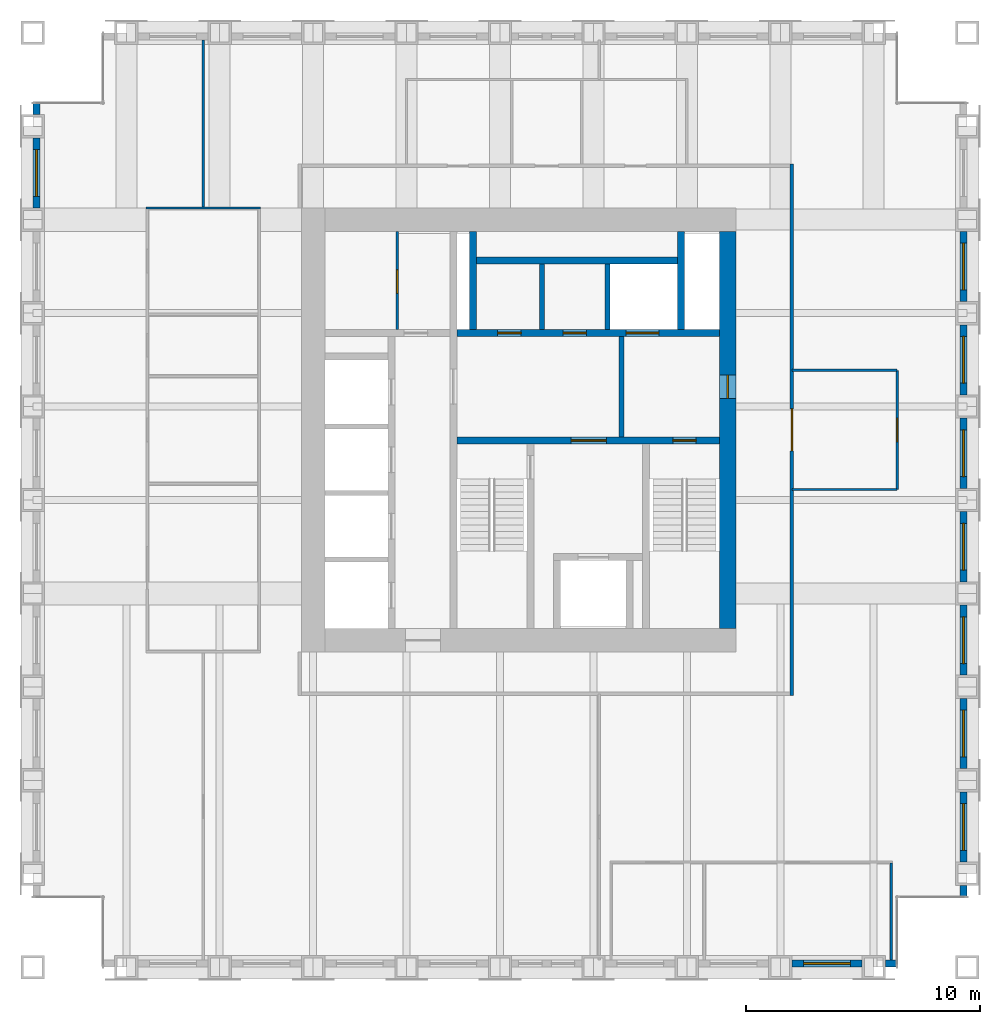
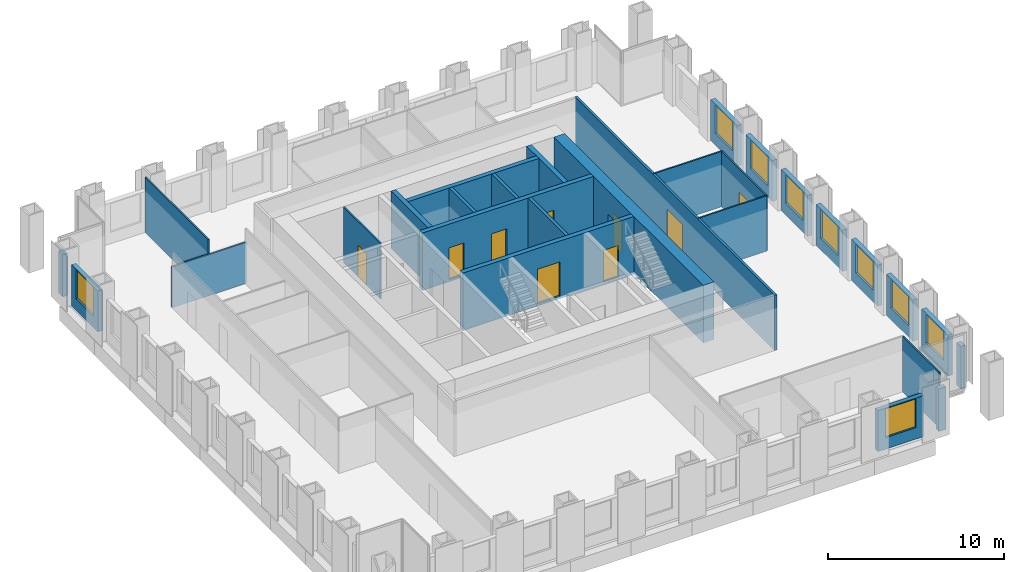
# One storey, part 9 of 11: 29 walls, 9 doors, 9 windows, 18 openings.
"""IFC4 building model written with IfcOpenShell, lengths in metres."""

from ifc_helpers import new_model, si_unit, direction, frame, frame_2d, origin, place, context, subcontext, project, spatial, rectangle, extrude, material, layer, layer_set, type_object, element, fill, save


model = new_model("IFC4")

# Units and contexts
model_context = context("Model", 3, precision=1e-05, world=origin(), true_north=direction((0.0, 1.0)))
body_context = subcontext(model_context, "Body", "Model", "MODEL_VIEW")
ifc_project = project(units=[si_unit("LENGTHUNIT", "METRE"), si_unit("AREAUNIT", "SQUARE_METRE"), si_unit("VOLUMEUNIT", "CUBIC_METRE"), si_unit("PLANEANGLEUNIT", "RADIAN"), si_unit("MASSUNIT", "GRAM", prefix="KILO")], contexts=[model_context])

# Site, building, storey
site_placement = place(None, origin())
site = spatial("IfcSite", under=ifc_project, at=site_placement, CompositionType="ELEMENT")
building_placement = place(site_placement, origin())
building = spatial("IfcBuilding", under=site, at=building_placement, Name="Rimbunsela Tower", CompositionType="ELEMENT")
storey_placement = place(building_placement, frame((0.0, 0.0, 282.199951171875)))
storey = spatial("IfcBuildingStorey", under=building, at=storey_placement, Name="L68", CompositionType="ELEMENT", Elevation=282.199951171875)

# Wall, openings, doors
ifc_material_1 = material(Name="Concrete fc' 80 MPa", Category="concrete")
ifc_layer_1 = layer(ifc_material_1, 0.300048828125)
ifc_layer_set_1 = layer_set([ifc_layer_1], Name="Core internal wall 300")
wall_type_1 = type_object("IfcWallType", Name="Core internal wall 300", PredefinedType="SHEAR", material=ifc_layer_set_1)
wall_1_placement = place(storey_placement, frame((24.14990234375, 26.550048828125, -0.14990234375), z_axis=(0.0, 0.0, 1.0), x_axis=(1.0, 0.0, 0.0)))
wall_1 = element("IfcWall", 1, at=wall_1_placement, inside=storey, type_object=wall_type_1, Name="Core wall lobby south", PredefinedType="SHEAR", context=body_context, shape_type="SweptSolid", body=[
    extrude(rectangle(XDim=11.25, YDim=0.300048828125, at=frame_2d((5.625, 0.0))), origin(), (0.0, 0.0, 1.0), 4.0),
])
opening_1_placement = place(wall_1_placement, frame((9.25, 0.0, 0.14990234375)))
opening_1 = element("IfcOpeningElement", 2, at=opening_1_placement, cuts=wall_1, Name="Opening D01", PredefinedType="OPENING", context=body_context, shape_type="SweptSolid", body=[
    extrude(rectangle(XDim=1.0, YDim=2.199951171875, at=frame_2d((0.5, 1.10009765625))), frame((0.0, 0.159912109375, 0.0), z_axis=(0.0, -1.0, 0.0), x_axis=(1.0, 0.0, 0.0)), (0.0, 0.0, 1.0), 0.320068359375),
])
opening_2_placement = place(wall_1_placement, frame((4.89990234375, 0.0, 0.14990234375)))
opening_2 = element("IfcOpeningElement", 3, at=opening_2_placement, cuts=wall_1, Name="Opening D03", PredefinedType="OPENING", context=body_context, shape_type="SweptSolid", body=[
    extrude(rectangle(XDim=1.5, YDim=2.39990234375, at=frame_2d((0.75, 1.199951171875))), frame((0.0, 0.159912109375, 0.0), z_axis=(0.0, -1.0, 0.0), x_axis=(1.0, 0.0, 0.0)), (0.0, 0.0, 1.0), 0.320068359375),
])
ifc_material_2 = material(Name="Steel door, fire rated", Category="steel")
door_type_1 = type_object("IfcDoorType", Name="Core lobby door 1500", OperationType="DOUBLE_DOOR_DOUBLE_SWING", PredefinedType="DOOR", material=ifc_material_2)
door_1_placement = place(opening_2_placement, origin())
door_1 = element("IfcDoor", 4, at=door_1_placement, inside=storey, type_object=door_type_1, Name="Firefighting lobby door", OperationType="DOUBLE_DOOR_DOUBLE_SWING", OverallHeight=2.39990234375, OverallWidth=1.5, PredefinedType="DOOR", context=body_context, shape_type="SweptSolid", body=[
    extrude(rectangle(XDim=1.5, YDim=2.39990234375, at=frame_2d((0.75, 1.199951171875))), frame((0.0, 0.02490234375, 0.0), z_axis=(0.0, -1.0, 0.0), x_axis=(1.0, 0.0, 0.0)), (0.0, 0.0, 1.0), 0.050048828125),
])
fill(opening_2, door_1)
ifc_material_3 = material(Name="Steel door, fire rated", Category="steel")
door_type_2 = type_object("IfcDoorType", Name="Stair door 1000", OperationType="SINGLE_SWING_RIGHT", PredefinedType="DOOR", material=ifc_material_3)
door_2_placement = place(opening_1_placement, frame((1.0, 0.0, 0.0), z_axis=(0.0, 0.0, 1.0), x_axis=(-1.0, 0.0, 0.0)))
door_2 = element("IfcDoor", 5, at=door_2_placement, inside=storey, type_object=door_type_2, Name="Stair B door", OperationType="SINGLE_SWING_RIGHT", OverallHeight=2.199951171875, OverallWidth=1.0, PredefinedType="DOOR", context=body_context, shape_type="SweptSolid", body=[
    extrude(rectangle(XDim=1.0, YDim=2.199951171875, at=frame_2d((0.5, 1.10009765625))), frame((0.0, 0.02490234375, 0.0), z_axis=(0.0, -1.0, 0.0), x_axis=(1.0, 0.0, 0.0)), (0.0, 0.0, 1.0), 0.050048828125),
])
fill(opening_1, door_2)

wall_2_placement = place(storey_placement, frame((24.14990234375, 31.14990234375, -0.14990234375), z_axis=(0.0, 0.0, 1.0), x_axis=(1.0, 0.0, 0.0)))
wall_2 = element("IfcWall", 6, at=wall_2_placement, inside=storey, type_object=wall_type_1, Name="Lift shaft front north", PredefinedType="SHEAR", context=body_context, shape_type="SweptSolid", body=[
    extrude(rectangle(XDim=11.25, YDim=0.300048828125, at=frame_2d((5.625, 0.0))), origin(), (0.0, 0.0, 1.0), 4.0),
])
opening_3_placement = place(wall_2_placement, frame((1.75, 0.0, 0.14990234375)))
opening_3 = element("IfcOpeningElement", 7, at=opening_3_placement, cuts=wall_2, Name="Opening D19", PredefinedType="OPENING", context=body_context, shape_type="SweptSolid", body=[
    extrude(rectangle(XDim=1.0, YDim=2.199951171875, at=frame_2d((0.5, 1.10009765625))), frame((0.0, 0.159912109375, 0.0), z_axis=(0.0, -1.0, 0.0), x_axis=(1.0, 0.0, 0.0)), (0.0, 0.0, 1.0), 0.320068359375),
])
opening_4_placement = place(wall_2_placement, frame((4.550048828125, 0.0, 0.14990234375)))
opening_4 = element("IfcOpeningElement", 8, at=opening_4_placement, cuts=wall_2, Name="Opening D19", PredefinedType="OPENING", context=body_context, shape_type="SweptSolid", body=[
    extrude(rectangle(XDim=1.0, YDim=2.199951171875, at=frame_2d((0.5, 1.10009765625))), frame((0.0, 0.159912109375, 0.0), z_axis=(0.0, -1.0, 0.0), x_axis=(1.0, 0.0, 0.0)), (0.0, 0.0, 1.0), 0.320068359375),
])
opening_5_placement = place(wall_2_placement, frame((7.25, 0.0, 0.14990234375)))
opening_5 = element("IfcOpeningElement", 9, at=opening_5_placement, cuts=wall_2, Name="Opening LD3", PredefinedType="OPENING", context=body_context, shape_type="SweptSolid", body=[
    extrude(rectangle(XDim=1.39990234375, YDim=2.39990234375, at=frame_2d((0.699951171875, 1.199951171875))), frame((0.0, 0.159912109375, 0.0), z_axis=(0.0, -1.0, 0.0), x_axis=(1.0, 0.0, 0.0)), (0.0, 0.0, 1.0), 0.320068359375),
])
ifc_material_4 = material(Name="Steel door, fire rated", Category="steel")
door_type_3 = type_object("IfcDoorType", Name="Lift landing door 1400", OperationType="DOUBLE_DOOR_SLIDING", PredefinedType="DOOR", material=ifc_material_4)
door_3_placement = place(opening_5_placement, origin())
door_3 = element("IfcDoor", 10, at=door_3_placement, inside=storey, type_object=door_type_3, Name="Lift landing door FL2", OperationType="DOUBLE_DOOR_SLIDING", OverallHeight=2.39990234375, OverallWidth=1.39990234375, PredefinedType="DOOR", context=body_context, shape_type="SweptSolid", body=[
    extrude(rectangle(XDim=1.39990234375, YDim=2.39990234375, at=frame_2d((0.699951171875, 1.199951171875))), frame((0.0, 0.02490234375, 0.0), z_axis=(0.0, -1.0, 0.0), x_axis=(1.0, 0.0, 0.0)), (0.0, 0.0, 1.0), 0.050048828125),
])
fill(opening_5, door_3)
ifc_material_5 = material(Name="Steel door, fire rated", Category="steel")
door_type_4 = type_object("IfcDoorType", Name="Service door 1000 fire rated", OperationType="SINGLE_SWING_LEFT", PredefinedType="DOOR", material=ifc_material_5)
door_4_placement = place(opening_3_placement, origin())
door_4 = element("IfcDoor", 11, at=door_4_placement, inside=storey, type_object=door_type_4, Name="Staff WC door", OperationType="SINGLE_SWING_LEFT", OverallHeight=2.199951171875, OverallWidth=1.0, PredefinedType="DOOR", context=body_context, shape_type="SweptSolid", body=[
    extrude(rectangle(XDim=1.0, YDim=2.199951171875, at=frame_2d((0.5, 1.10009765625))), frame((0.0, 0.02490234375, 0.0), z_axis=(0.0, -1.0, 0.0), x_axis=(1.0, 0.0, 0.0)), (0.0, 0.0, 1.0), 0.050048828125),
])
fill(opening_3, door_4)
door_5_placement = place(opening_4_placement, origin())
door_5 = element("IfcDoor", 12, at=door_5_placement, inside=storey, type_object=door_type_4, Name="Cleaners store door", OperationType="SINGLE_SWING_LEFT", OverallHeight=2.199951171875, OverallWidth=1.0, PredefinedType="DOOR", context=body_context, shape_type="SweptSolid", body=[
    extrude(rectangle(XDim=1.0, YDim=2.199951171875, at=frame_2d((0.5, 1.10009765625))), frame((0.0, 0.02490234375, 0.0), z_axis=(0.0, -1.0, 0.0), x_axis=(1.0, 0.0, 0.0)), (0.0, 0.0, 1.0), 0.050048828125),
])
fill(opening_4, door_5)

# Walls
for number, where, z_axis, x_axis, name in (
    (13, (24.85009765625, 31.300048828125, -0.14990234375), (0.0, 0.0, 1.0), (0.0, 1.0, 0.0), "Riser wall"),
    (14, (33.75, 31.300048828125, -0.14990234375), (0.0, 0.0, 1.0), (0.0, 1.0, 0.0), "Riser wall"),
):
    element("IfcWall", number, at=place(storey_placement, frame(where, z_axis=z_axis, x_axis=x_axis)), inside=storey, type_object=wall_type_1, Name=name, PredefinedType="SHEAR", context=body_context, shape_type="SweptSolid", body=[
        extrude(rectangle(XDim=4.199951171875, YDim=0.300048828125, at=frame_2d((2.10009765625, 0.0))), origin(), (0.0, 0.0, 1.0), 4.0),
    ])
wall_3_placement = place(storey_placement, frame((25.0, 34.25, -0.14990234375), z_axis=(0.0, 0.0, 1.0), x_axis=(1.0, 0.0, 0.0)))
element("IfcWall", 15, at=wall_3_placement, inside=storey, type_object=wall_type_1, Name="Lift shaft rear north", PredefinedType="SHEAR", context=body_context, shape_type="SweptSolid", body=[
    extrude(rectangle(XDim=8.60009765625, YDim=0.300048828125, at=frame_2d((4.300048828125, 0.0))), origin(), (0.0, 0.0, 1.0), 4.0),
])

# Wall, opening, door
ifc_material_6 = material(Name="Concrete blockwork", Category="masonry")
ifc_layer_2 = layer(ifc_material_6, 0.10009765625)
ifc_layer_set_2 = layer_set([ifc_layer_2], Name="Core room partition 100")
wall_type_2 = type_object("IfcWallType", Name="Core room partition 100", PredefinedType="PARTITIONING", material=ifc_layer_set_2)
wall_4_placement = place(storey_placement, frame((21.60009765625, 31.300048828125, 0.0), z_axis=(0.0, 0.0, 1.0), x_axis=(0.0, 1.0, 0.0)))
wall_4 = element("IfcWall", 16, at=wall_4_placement, inside=storey, type_object=wall_type_2, Name="Equipment store wall", PredefinedType="PARTITIONING", context=body_context, shape_type="SweptSolid", body=[
    extrude(rectangle(XDim=4.199951171875, YDim=0.10009765625, at=frame_2d((2.10009765625, 0.0))), origin(), (0.0, 0.0, 1.0), 3.85009765625),
])
opening_6_placement = place(wall_4_placement, frame((1.550048828125, 0.0, 0.0)))
opening_6 = element("IfcOpeningElement", 17, at=opening_6_placement, cuts=wall_4, Name="Opening D19", PredefinedType="OPENING", context=body_context, shape_type="SweptSolid", body=[
    extrude(rectangle(XDim=1.0, YDim=2.199951171875, at=frame_2d((0.5, 1.10009765625))), frame((0.0, 0.06005859375, 0.0), z_axis=(0.0, -1.0, 0.0), x_axis=(1.0, 0.0, 0.0)), (0.0, 0.0, 1.0), 0.1201171875),
])
door_6_placement = place(opening_6_placement, origin())
door_6 = element("IfcDoor", 18, at=door_6_placement, inside=storey, type_object=door_type_4, Name="Equipment store door", OperationType="SINGLE_SWING_LEFT", OverallHeight=2.199951171875, OverallWidth=1.0, PredefinedType="DOOR", context=body_context, shape_type="SweptSolid", body=[
    extrude(rectangle(XDim=1.0, YDim=2.199951171875, at=frame_2d((0.5, 1.10009765625))), frame((0.0, 0.02490234375, 0.0), z_axis=(0.0, -1.0, 0.0), x_axis=(1.0, 0.0, 0.0)), (0.0, 0.0, 1.0), 0.050048828125),
])
fill(opening_6, door_6)

ifc_material_7 = material(Name="Concrete fc' 80 MPa", Category="concrete")
ifc_layer_3 = layer(ifc_material_7, 0.699951171875)
ifc_layer_set_3 = layer_set([ifc_layer_3], Name="Core wall 700 east")
wall_type_3 = type_object("IfcWallType", Name="Core wall 700 east", PredefinedType="SHEAR", material=ifc_layer_set_3)
wall_5_placement = place(storey_placement, frame((35.75, 18.5, -0.14990234375), z_axis=(0.0, 0.0, 1.0), x_axis=(0.0, 1.0, 0.0)))
wall_5 = element("IfcWall", 19, at=wall_5_placement, inside=storey, type_object=wall_type_3, Name="Core wall east", PredefinedType="SHEAR", context=body_context, shape_type="SweptSolid", body=[
    extrude(rectangle(XDim=17.0, YDim=0.699951171875, at=frame_2d((8.5, 0.0))), origin(), (0.0, 0.0, 1.0), 4.0),
])
opening_7_placement = place(wall_5_placement, frame((9.85009765625, 0.0, 0.14990234375)))
opening_7 = element("IfcOpeningElement", 20, at=opening_7_placement, cuts=wall_5, Name="Opening D01", PredefinedType="OPENING", context=body_context, shape_type="SweptSolid", body=[
    extrude(rectangle(XDim=1.0, YDim=2.199951171875, at=frame_2d((0.5, 1.10009765625))), frame((0.0, 0.35986328125, 0.0), z_axis=(0.0, -1.0, 0.0), x_axis=(1.0, 0.0, 0.0)), (0.0, 0.0, 1.0), 0.719970703125),
])
door_7_placement = place(opening_7_placement, origin())
door_7 = element("IfcDoor", 21, at=door_7_placement, inside=storey, type_object=door_type_2, Name="Firefighting lobby 2 door", OperationType="SINGLE_SWING_RIGHT", OverallHeight=2.199951171875, OverallWidth=1.0, PredefinedType="DOOR", context=body_context, shape_type="SweptSolid", body=[
    extrude(rectangle(XDim=1.0, YDim=2.199951171875, at=frame_2d((0.5, 1.10009765625))), frame((0.0, 0.02490234375, 0.0), z_axis=(0.0, -1.0, 0.0), x_axis=(1.0, 0.0, 0.0)), (0.0, 0.0, 1.0), 0.050048828125),
])
fill(opening_7, door_7)

# Walls
ifc_material_8 = material(Name="Concrete blockwork", Category="masonry")
ifc_layer_4 = layer(ifc_material_8, 0.199951171875)
ifc_layer_set_4 = layer_set([ifc_layer_4], Name="Lift shaft wall 200")
wall_type_4 = type_object("IfcWallType", Name="Lift shaft wall 200", PredefinedType="SOLIDWALL", material=ifc_layer_set_4)
for number, where, z_axis, x_axis, name in (
    (22, (27.800048828125, 31.300048828125, -0.14990234375), (0.0, 0.0, 1.0), (0.0, 1.0, 0.0), "Lift shaft separation"),
    (23, (30.60009765625, 31.300048828125, -0.14990234375), (0.0, 0.0, 1.0), (0.0, 1.0, 0.0), "Lift shaft separation"),
):
    element("IfcWall", number, at=place(storey_placement, frame(where, z_axis=z_axis, x_axis=x_axis)), inside=storey, type_object=wall_type_4, Name=name, PredefinedType="SOLIDWALL", context=body_context, shape_type="SweptSolid", body=[
        extrude(rectangle(XDim=2.800048828125, YDim=0.199951171875, at=frame_2d((1.39990234375, 0.0))), origin(), (0.0, 0.0, 1.0), 4.0),
    ])
wall_6_placement = place(storey_placement, frame((31.199951171875, 26.699951171875, 0.0), z_axis=(0.0, 0.0, 1.0), x_axis=(0.0, 1.0, 0.0)))
element("IfcWall", 24, at=wall_6_placement, inside=storey, type_object=wall_type_4, Name="Firefighting lobby 2 wall", PredefinedType="SOLIDWALL", context=body_context, shape_type="SweptSolid", body=[
    extrude(rectangle(XDim=4.300048828125, YDim=0.199951171875, at=frame_2d((2.14990234375, 0.0))), origin(), (0.0, 0.0, 1.0), 3.85009765625),
])
ifc_material_9 = material(Name="Gypsum board on steel studs", Category="steel")
ifc_layer_5 = layer(ifc_material_9, 0.10009765625)
ifc_layer_set_5 = layer_set([ifc_layer_5], Name="Office partition 100")
wall_type_5 = type_object("IfcWallType", Name="Office partition 100", PredefinedType="PARTITIONING", material=ifc_layer_set_5)
wall_7_placement = place(storey_placement, frame((10.85009765625, 36.5, 0.0), z_axis=(0.0, 0.0, 1.0), x_axis=(1.0, 0.0, 0.0)))
element("IfcWall", 25, at=wall_7_placement, inside=storey, type_object=wall_type_5, Name="Office partition", PredefinedType="PARTITIONING", context=body_context, shape_type="SweptSolid", body=[
    extrude(rectangle(XDim=4.89990234375, YDim=0.10009765625, at=frame_2d((2.449951171875, 0.0))), origin(), (0.0, 0.0, 1.0), 2.85009765625),
])
wall_8_placement = place(storey_placement, frame((42.75, 4.300048828125, 0.0), z_axis=(0.0, 0.0, 1.0), x_axis=(0.0, 1.0, 0.0)))
element("IfcWall", 26, at=wall_8_placement, inside=storey, type_object=wall_type_5, Name="Office partition", PredefinedType="PARTITIONING", context=body_context, shape_type="SweptSolid", body=[
    extrude(rectangle(XDim=4.14990234375, YDim=0.10009765625, at=frame_2d((2.074951171875, 0.0))), origin(), (0.0, 0.0, 1.0), 3.85009765625),
])
wall_9_placement = place(storey_placement, frame((13.300048828125, 36.550048828125, 0.0), z_axis=(0.0, 0.0, 1.0), x_axis=(0.0, 1.0, 0.0)))
element("IfcWall", 27, at=wall_9_placement, inside=storey, type_object=wall_type_5, Name="Office partition", PredefinedType="PARTITIONING", context=body_context, shape_type="SweptSolid", body=[
    extrude(rectangle(XDim=7.14990234375, YDim=0.10009765625, at=frame_2d((3.574951171875, 0.0))), origin(), (0.0, 0.0, 1.0), 3.85009765625),
])
wall_10_placement = place(storey_placement, frame((38.5, 24.449951171875, 0.0), z_axis=(0.0, 0.0, 1.0), x_axis=(1.0, 0.0, 0.0)))
element("IfcWall", 28, at=wall_10_placement, inside=storey, type_object=wall_type_5, Name="Office partition", PredefinedType="PARTITIONING", context=body_context, shape_type="SweptSolid", body=[
    extrude(rectangle(XDim=4.5, YDim=0.10009765625, at=frame_2d((2.25, 0.0))), origin(), (0.0, 0.0, 1.0), 3.85009765625),
])

# Wall, opening, door
wall_11_placement = place(storey_placement, frame((43.0, 24.449951171875, 0.0), z_axis=(0.0, 0.0, 1.0), x_axis=(0.0, 1.0, 0.0)))
wall_11 = element("IfcWall", 29, at=wall_11_placement, inside=storey, type_object=wall_type_5, Name="Office partition", PredefinedType="PARTITIONING", context=body_context, shape_type="SweptSolid", body=[
    extrude(rectangle(XDim=5.10009765625, YDim=0.10009765625, at=frame_2d((2.550048828125, 0.0))), origin(), (0.0, 0.0, 1.0), 3.85009765625),
])
opening_8_placement = place(wall_11_placement, frame((2.050048828125, 0.0, 0.0)))
opening_8 = element("IfcOpeningElement", 30, at=opening_8_placement, cuts=wall_11, Name="Opening D17", PredefinedType="OPENING", context=body_context, shape_type="SweptSolid", body=[
    extrude(rectangle(XDim=1.0, YDim=2.199951171875, at=frame_2d((0.5, 1.10009765625))), frame((0.0, 0.06005859375, 0.0), z_axis=(0.0, -1.0, 0.0), x_axis=(1.0, 0.0, 0.0)), (0.0, 0.0, 1.0), 0.1201171875),
])
ifc_material_10 = material(Name="Glazed aluminium door", Category="aluminium")
door_type_5 = type_object("IfcDoorType", Name="Meeting room door 1000 glazed", OperationType="SINGLE_SWING_RIGHT", PredefinedType="DOOR", material=ifc_material_10)
door_8_placement = place(opening_8_placement, origin())
door_8 = element("IfcDoor", 31, at=door_8_placement, inside=storey, type_object=door_type_5, Name="Reception door", OperationType="SINGLE_SWING_RIGHT", OverallHeight=2.199951171875, OverallWidth=1.0, PredefinedType="DOOR", context=body_context, shape_type="SweptSolid", body=[
    extrude(rectangle(XDim=1.0, YDim=2.199951171875, at=frame_2d((0.5, 1.10009765625))), frame((0.0, 0.02490234375, 0.0), z_axis=(0.0, -1.0, 0.0), x_axis=(1.0, 0.0, 0.0)), (0.0, 0.0, 1.0), 0.050048828125),
])
fill(opening_8, door_8)

# Wall
wall_12_placement = place(storey_placement, frame((43.0, 29.550048828125, 0.0), z_axis=(0.0, 0.0, 1.0), x_axis=(-1.0, 0.0, 0.0)))
element("IfcWall", 32, at=wall_12_placement, inside=storey, type_object=wall_type_5, Name="Office partition", PredefinedType="PARTITIONING", context=body_context, shape_type="SweptSolid", body=[
    extrude(rectangle(XDim=4.5, YDim=0.10009765625, at=frame_2d((2.25, 0.0))), origin(), (0.0, 0.0, 1.0), 3.85009765625),
])

# Wall, opening, window
ifc_material_11 = material(Name="Precast concrete fc' 35 MPa", Category="concrete")
ifc_layer_6 = layer(ifc_material_11, 0.300048828125)
ifc_layer_set_6 = layer_set([ifc_layer_6], Name="Precast concrete fc' 35 MPa")
wall_type_6 = type_object("IfcWallType", Name="Precast facade panel 300", PredefinedType="ELEMENTEDWALL", material=ifc_layer_set_6)
wall_13_placement = place(storey_placement, frame((38.5, 4.14990234375, 0.0), z_axis=(0.0, 0.0, 1.0), x_axis=(1.0, 0.0, 0.0)))
wall_13 = element("IfcWall", 33, at=wall_13_placement, inside=storey, type_object=wall_type_6, Name="Facade panel S L68", PredefinedType="ELEMENTEDWALL", context=body_context, shape_type="SweptSolid", body=[
    extrude(rectangle(XDim=3.0, YDim=0.300048828125, at=frame_2d((1.5, 0.0))), origin(), (0.0, 0.0, 1.0), 2.85009765625),
])
opening_9_placement = place(wall_13_placement, frame((0.5, 0.0, 0.800048828125)))
opening_9 = element("IfcOpeningElement", 34, at=opening_9_placement, cuts=wall_13, Name="Opening W1", PredefinedType="OPENING", context=body_context, shape_type="SweptSolid", body=[
    extrude(rectangle(XDim=2.0, YDim=2.0, at=frame_2d((1.0, 1.0))), frame((0.0, 0.159912109375, 0.0), z_axis=(0.0, -1.0, 0.0), x_axis=(1.0, 0.0, 0.0)), (0.0, 0.0, 1.0), 0.320068359375),
])
ifc_material_12 = material(Name="Clear glass in aluminium frame", Category="aluminium")
window_type = type_object("IfcWindowType", Name="Window W1 2000x2000", PartitioningType="DOUBLE_PANEL_VERTICAL", PredefinedType="WINDOW", material=ifc_material_12)
window_1_placement = place(opening_9_placement, origin())
window_1 = element("IfcWindow", 35, at=window_1_placement, inside=storey, type_object=window_type, Name="Window L68", OverallHeight=2.0, OverallWidth=2.0, PartitioningType="SINGLE_PANEL", PredefinedType="WINDOW", context=body_context, shape_type="SweptSolid", body=[
    extrude(rectangle(XDim=2.0, YDim=2.0, at=frame_2d((1.0, 1.0))), frame((0.0, 0.030029296875, 0.0), z_axis=(0.0, -1.0, 0.0), x_axis=(1.0, 0.0, 0.0)), (0.0, 0.0, 1.0), 0.06005859375),
])
fill(opening_9, window_1)

# Walls
for number, where, z_axis, x_axis, name in (
    (36, (42.5, 4.14990234375, 0.0), (0.0, 0.0, 1.0), (1.0, 0.0, 0.0), "Facade panel S L68"),
    (37, (45.85009765625, 7.030029296875, 0.0), (0.0, 0.0, 1.0), (0.0, 1.0, 0.0), "Facade panel E L68"),
):
    element("IfcWall", number, at=place(storey_placement, frame(where, z_axis=z_axis, x_axis=x_axis)), inside=storey, type_object=wall_type_6, Name=name, PredefinedType="ELEMENTEDWALL", context=body_context, shape_type="SweptSolid", body=[
        extrude(rectangle(XDim=0.469970703125, YDim=0.300048828125, at=frame_2d((0.23486328125, 0.0))), origin(), (0.0, 0.0, 1.0), 2.949951171875),
    ])

# Wall, opening, window
wall_14_placement = place(storey_placement, frame((45.85009765625, 8.5, 0.0), z_axis=(0.0, 0.0, 1.0), x_axis=(0.0, 1.0, 0.0)))
wall_14 = element("IfcWall", 38, at=wall_14_placement, inside=storey, type_object=wall_type_6, Name="Facade panel E L68", PredefinedType="ELEMENTEDWALL", context=body_context, shape_type="SweptSolid", body=[
    extrude(rectangle(XDim=3.0, YDim=0.300048828125, at=frame_2d((1.5, 0.0))), origin(), (0.0, 0.0, 1.0), 2.85009765625),
])
opening_10_placement = place(wall_14_placement, frame((0.5, 0.0, 0.800048828125)))
opening_10 = element("IfcOpeningElement", 39, at=opening_10_placement, cuts=wall_14, Name="Opening W1", PredefinedType="OPENING", context=body_context, shape_type="SweptSolid", body=[
    extrude(rectangle(XDim=2.0, YDim=2.0, at=frame_2d((1.0, 1.0))), frame((0.0, 0.159912109375, 0.0), z_axis=(0.0, -1.0, 0.0), x_axis=(1.0, 0.0, 0.0)), (0.0, 0.0, 1.0), 0.320068359375),
])
window_2_placement = place(opening_10_placement, origin())
window_2 = element("IfcWindow", 40, at=window_2_placement, inside=storey, type_object=window_type, Name="Window L68", OverallHeight=2.0, OverallWidth=2.0, PartitioningType="SINGLE_PANEL", PredefinedType="WINDOW", context=body_context, shape_type="SweptSolid", body=[
    extrude(rectangle(XDim=2.0, YDim=2.0, at=frame_2d((1.0, 1.0))), frame((0.0, 0.030029296875, 0.0), z_axis=(0.0, -1.0, 0.0), x_axis=(1.0, 0.0, 0.0)), (0.0, 0.0, 1.0), 0.06005859375),
])
fill(opening_10, window_2)

wall_15_placement = place(storey_placement, frame((45.85009765625, 12.5, 0.0), z_axis=(0.0, 0.0, 1.0), x_axis=(0.0, 1.0, 0.0)))
wall_15 = element("IfcWall", 41, at=wall_15_placement, inside=storey, type_object=wall_type_6, Name="Facade panel E L68", PredefinedType="ELEMENTEDWALL", context=body_context, shape_type="SweptSolid", body=[
    extrude(rectangle(XDim=3.0, YDim=0.300048828125, at=frame_2d((1.5, 0.0))), origin(), (0.0, 0.0, 1.0), 2.85009765625),
])
opening_11_placement = place(wall_15_placement, frame((0.5, 0.0, 0.800048828125)))
opening_11 = element("IfcOpeningElement", 42, at=opening_11_placement, cuts=wall_15, Name="Opening W1", PredefinedType="OPENING", context=body_context, shape_type="SweptSolid", body=[
    extrude(rectangle(XDim=2.0, YDim=2.0, at=frame_2d((1.0, 1.0))), frame((0.0, 0.159912109375, 0.0), z_axis=(0.0, -1.0, 0.0), x_axis=(1.0, 0.0, 0.0)), (0.0, 0.0, 1.0), 0.320068359375),
])
window_3_placement = place(opening_11_placement, origin())
window_3 = element("IfcWindow", 43, at=window_3_placement, inside=storey, type_object=window_type, Name="Window L68", OverallHeight=2.0, OverallWidth=2.0, PartitioningType="SINGLE_PANEL", PredefinedType="WINDOW", context=body_context, shape_type="SweptSolid", body=[
    extrude(rectangle(XDim=2.0, YDim=2.0, at=frame_2d((1.0, 1.0))), frame((0.0, 0.030029296875, 0.0), z_axis=(0.0, -1.0, 0.0), x_axis=(1.0, 0.0, 0.0)), (0.0, 0.0, 1.0), 0.06005859375),
])
fill(opening_11, window_3)

wall_16_placement = place(storey_placement, frame((45.85009765625, 16.5, 0.0), z_axis=(0.0, 0.0, 1.0), x_axis=(0.0, 1.0, 0.0)))
wall_16 = element("IfcWall", 44, at=wall_16_placement, inside=storey, type_object=wall_type_6, Name="Facade panel E L68", PredefinedType="ELEMENTEDWALL", context=body_context, shape_type="SweptSolid", body=[
    extrude(rectangle(XDim=3.0, YDim=0.300048828125, at=frame_2d((1.5, 0.0))), origin(), (0.0, 0.0, 1.0), 2.85009765625),
])
opening_12_placement = place(wall_16_placement, frame((0.5, 0.0, 0.800048828125)))
opening_12 = element("IfcOpeningElement", 45, at=opening_12_placement, cuts=wall_16, Name="Opening W1", PredefinedType="OPENING", context=body_context, shape_type="SweptSolid", body=[
    extrude(rectangle(XDim=2.0, YDim=2.0, at=frame_2d((1.0, 1.0))), frame((0.0, 0.159912109375, 0.0), z_axis=(0.0, -1.0, 0.0), x_axis=(1.0, 0.0, 0.0)), (0.0, 0.0, 1.0), 0.320068359375),
])
window_4_placement = place(opening_12_placement, origin())
window_4 = element("IfcWindow", 46, at=window_4_placement, inside=storey, type_object=window_type, Name="Window L68", OverallHeight=2.0, OverallWidth=2.0, PartitioningType="SINGLE_PANEL", PredefinedType="WINDOW", context=body_context, shape_type="SweptSolid", body=[
    extrude(rectangle(XDim=2.0, YDim=2.0, at=frame_2d((1.0, 1.0))), frame((0.0, 0.030029296875, 0.0), z_axis=(0.0, -1.0, 0.0), x_axis=(1.0, 0.0, 0.0)), (0.0, 0.0, 1.0), 0.06005859375),
])
fill(opening_12, window_4)

wall_17_placement = place(storey_placement, frame((45.85009765625, 20.5, 0.0), z_axis=(0.0, 0.0, 1.0), x_axis=(0.0, 1.0, 0.0)))
wall_17 = element("IfcWall", 47, at=wall_17_placement, inside=storey, type_object=wall_type_6, Name="Facade panel E L68", PredefinedType="ELEMENTEDWALL", context=body_context, shape_type="SweptSolid", body=[
    extrude(rectangle(XDim=3.0, YDim=0.300048828125, at=frame_2d((1.5, 0.0))), origin(), (0.0, 0.0, 1.0), 2.85009765625),
])
opening_13_placement = place(wall_17_placement, frame((0.5, 0.0, 0.800048828125)))
opening_13 = element("IfcOpeningElement", 48, at=opening_13_placement, cuts=wall_17, Name="Opening W1", PredefinedType="OPENING", context=body_context, shape_type="SweptSolid", body=[
    extrude(rectangle(XDim=2.0, YDim=2.0, at=frame_2d((1.0, 1.0))), frame((0.0, 0.159912109375, 0.0), z_axis=(0.0, -1.0, 0.0), x_axis=(1.0, 0.0, 0.0)), (0.0, 0.0, 1.0), 0.320068359375),
])
window_5_placement = place(opening_13_placement, origin())
window_5 = element("IfcWindow", 49, at=window_5_placement, inside=storey, type_object=window_type, Name="Window L68", OverallHeight=2.0, OverallWidth=2.0, PartitioningType="SINGLE_PANEL", PredefinedType="WINDOW", context=body_context, shape_type="SweptSolid", body=[
    extrude(rectangle(XDim=2.0, YDim=2.0, at=frame_2d((1.0, 1.0))), frame((0.0, 0.030029296875, 0.0), z_axis=(0.0, -1.0, 0.0), x_axis=(1.0, 0.0, 0.0)), (0.0, 0.0, 1.0), 0.06005859375),
])
fill(opening_13, window_5)

wall_18_placement = place(storey_placement, frame((45.85009765625, 24.5, 0.0), z_axis=(0.0, 0.0, 1.0), x_axis=(0.0, 1.0, 0.0)))
wall_18 = element("IfcWall", 50, at=wall_18_placement, inside=storey, type_object=wall_type_6, Name="Facade panel E L68", PredefinedType="ELEMENTEDWALL", context=body_context, shape_type="SweptSolid", body=[
    extrude(rectangle(XDim=3.0, YDim=0.300048828125, at=frame_2d((1.5, 0.0))), origin(), (0.0, 0.0, 1.0), 2.85009765625),
])
opening_14_placement = place(wall_18_placement, frame((0.5, 0.0, 0.800048828125)))
opening_14 = element("IfcOpeningElement", 51, at=opening_14_placement, cuts=wall_18, Name="Opening W1", PredefinedType="OPENING", context=body_context, shape_type="SweptSolid", body=[
    extrude(rectangle(XDim=2.0, YDim=2.0, at=frame_2d((1.0, 1.0))), frame((0.0, 0.159912109375, 0.0), z_axis=(0.0, -1.0, 0.0), x_axis=(1.0, 0.0, 0.0)), (0.0, 0.0, 1.0), 0.320068359375),
])
window_6_placement = place(opening_14_placement, origin())
window_6 = element("IfcWindow", 52, at=window_6_placement, inside=storey, type_object=window_type, Name="Window L68", OverallHeight=2.0, OverallWidth=2.0, PartitioningType="SINGLE_PANEL", PredefinedType="WINDOW", context=body_context, shape_type="SweptSolid", body=[
    extrude(rectangle(XDim=2.0, YDim=2.0, at=frame_2d((1.0, 1.0))), frame((0.0, 0.030029296875, 0.0), z_axis=(0.0, -1.0, 0.0), x_axis=(1.0, 0.0, 0.0)), (0.0, 0.0, 1.0), 0.06005859375),
])
fill(opening_14, window_6)

wall_19_placement = place(storey_placement, frame((45.85009765625, 28.5, 0.0), z_axis=(0.0, 0.0, 1.0), x_axis=(0.0, 1.0, 0.0)))
wall_19 = element("IfcWall", 53, at=wall_19_placement, inside=storey, type_object=wall_type_6, Name="Facade panel E L68", PredefinedType="ELEMENTEDWALL", context=body_context, shape_type="SweptSolid", body=[
    extrude(rectangle(XDim=3.0, YDim=0.300048828125, at=frame_2d((1.5, 0.0))), origin(), (0.0, 0.0, 1.0), 2.85009765625),
])
opening_15_placement = place(wall_19_placement, frame((0.5, 0.0, 0.800048828125)))
opening_15 = element("IfcOpeningElement", 54, at=opening_15_placement, cuts=wall_19, Name="Opening W1", PredefinedType="OPENING", context=body_context, shape_type="SweptSolid", body=[
    extrude(rectangle(XDim=2.0, YDim=2.0, at=frame_2d((1.0, 1.0))), frame((0.0, 0.159912109375, 0.0), z_axis=(0.0, -1.0, 0.0), x_axis=(1.0, 0.0, 0.0)), (0.0, 0.0, 1.0), 0.320068359375),
])
window_7_placement = place(opening_15_placement, origin())
window_7 = element("IfcWindow", 55, at=window_7_placement, inside=storey, type_object=window_type, Name="Window L68", OverallHeight=2.0, OverallWidth=2.0, PartitioningType="SINGLE_PANEL", PredefinedType="WINDOW", context=body_context, shape_type="SweptSolid", body=[
    extrude(rectangle(XDim=2.0, YDim=2.0, at=frame_2d((1.0, 1.0))), frame((0.0, 0.030029296875, 0.0), z_axis=(0.0, -1.0, 0.0), x_axis=(1.0, 0.0, 0.0)), (0.0, 0.0, 1.0), 0.06005859375),
])
fill(opening_15, window_7)

wall_20_placement = place(storey_placement, frame((45.85009765625, 32.5, 0.0), z_axis=(0.0, 0.0, 1.0), x_axis=(0.0, 1.0, 0.0)))
wall_20 = element("IfcWall", 56, at=wall_20_placement, inside=storey, type_object=wall_type_6, Name="Facade panel E L68", PredefinedType="ELEMENTEDWALL", context=body_context, shape_type="SweptSolid", body=[
    extrude(rectangle(XDim=3.0, YDim=0.300048828125, at=frame_2d((1.5, 0.0))), origin(), (0.0, 0.0, 1.0), 2.85009765625),
])
opening_16_placement = place(wall_20_placement, frame((0.5, 0.0, 0.800048828125)))
opening_16 = element("IfcOpeningElement", 57, at=opening_16_placement, cuts=wall_20, Name="Opening W1", PredefinedType="OPENING", context=body_context, shape_type="SweptSolid", body=[
    extrude(rectangle(XDim=2.0, YDim=2.0, at=frame_2d((1.0, 1.0))), frame((0.0, 0.159912109375, 0.0), z_axis=(0.0, -1.0, 0.0), x_axis=(1.0, 0.0, 0.0)), (0.0, 0.0, 1.0), 0.320068359375),
])
window_8_placement = place(opening_16_placement, origin())
window_8 = element("IfcWindow", 58, at=window_8_placement, inside=storey, type_object=window_type, Name="Window L68", OverallHeight=2.0, OverallWidth=2.0, PartitioningType="SINGLE_PANEL", PredefinedType="WINDOW", context=body_context, shape_type="SweptSolid", body=[
    extrude(rectangle(XDim=2.0, YDim=2.0, at=frame_2d((1.0, 1.0))), frame((0.0, 0.030029296875, 0.0), z_axis=(0.0, -1.0, 0.0), x_axis=(1.0, 0.0, 0.0)), (0.0, 0.0, 1.0), 0.06005859375),
])
fill(opening_16, window_8)

wall_21_placement = place(storey_placement, frame((6.14990234375, 39.5, 0.0), z_axis=(0.0, 0.0, 1.0), x_axis=(0.0, -1.0, 0.0)))
wall_21 = element("IfcWall", 59, at=wall_21_placement, inside=storey, type_object=wall_type_6, Name="Facade panel W L68", PredefinedType="ELEMENTEDWALL", context=body_context, shape_type="SweptSolid", body=[
    extrude(rectangle(XDim=3.0, YDim=0.300048828125, at=frame_2d((1.5, 0.0))), origin(), (0.0, 0.0, 1.0), 2.85009765625),
])
opening_17_placement = place(wall_21_placement, frame((0.5, 0.0, 0.800048828125)))
opening_17 = element("IfcOpeningElement", 60, at=opening_17_placement, cuts=wall_21, Name="Opening W1", PredefinedType="OPENING", context=body_context, shape_type="SweptSolid", body=[
    extrude(rectangle(XDim=2.0, YDim=2.0, at=frame_2d((1.0, 1.0))), frame((0.0, 0.159912109375, 0.0), z_axis=(0.0, -1.0, 0.0), x_axis=(1.0, 0.0, 0.0)), (0.0, 0.0, 1.0), 0.320068359375),
])
window_9_placement = place(opening_17_placement, origin())
window_9 = element("IfcWindow", 61, at=window_9_placement, inside=storey, type_object=window_type, Name="Window L68", OverallHeight=2.0, OverallWidth=2.0, PartitioningType="SINGLE_PANEL", PredefinedType="WINDOW", context=body_context, shape_type="SweptSolid", body=[
    extrude(rectangle(XDim=2.0, YDim=2.0, at=frame_2d((1.0, 1.0))), frame((0.0, 0.030029296875, 0.0), z_axis=(0.0, -1.0, 0.0), x_axis=(1.0, 0.0, 0.0)), (0.0, 0.0, 1.0), 0.06005859375),
])
fill(opening_17, window_9)

# Wall
wall_22_placement = place(storey_placement, frame((6.14990234375, 40.969970703125, 0.0), z_axis=(0.0, 0.0, 1.0), x_axis=(0.0, -1.0, 0.0)))
element("IfcWall", 62, at=wall_22_placement, inside=storey, type_object=wall_type_6, Name="Facade panel W L68", PredefinedType="ELEMENTEDWALL", context=body_context, shape_type="SweptSolid", body=[
    extrude(rectangle(XDim=0.469970703125, YDim=0.300048828125, at=frame_2d((0.23486328125, 0.0))), origin(), (0.0, 0.0, 1.0), 2.949951171875),
])

# Wall, opening, door
ifc_material_13 = material(Name="Fire-rated gypsum board on steel studs, EI 60", Category="steel")
ifc_layer_7 = layer(ifc_material_13, 0.14990234375)
ifc_layer_set_7 = layer_set([ifc_layer_7], Name="Rated corridor wall 150")
wall_type_7 = type_object("IfcWallType", Name="Rated corridor wall 150", PredefinedType="PARTITIONING", material=ifc_layer_set_7)
wall_23_placement = place(storey_placement, frame((38.5, 15.625, 0.0), z_axis=(0.0, 0.0, 1.0), x_axis=(0.0, 1.0, 0.0)))
wall_23 = element("IfcWall", 63, at=wall_23_placement, inside=storey, type_object=wall_type_7, Name="Corridor wall east", PredefinedType="PARTITIONING", context=body_context, shape_type="SweptSolid", body=[
    extrude(rectangle(XDim=22.75, YDim=0.14990234375, at=frame_2d((11.375, 0.0))), origin(), (0.0, 0.0, 1.0), 3.85009765625),
])
opening_18_placement = place(wall_23_placement, frame((10.47509765625, 0.0, 0.0)))
opening_18 = element("IfcOpeningElement", 64, at=opening_18_placement, cuts=wall_23, Name="Opening D09", PredefinedType="OPENING", context=body_context, shape_type="SweptSolid", body=[
    extrude(rectangle(XDim=1.800048828125, YDim=2.39990234375, at=frame_2d((0.89990234375, 1.199951171875))), frame((0.0, 0.0849609375, 0.0), z_axis=(0.0, -1.0, 0.0), x_axis=(1.0, 0.0, 0.0)), (0.0, 0.0, 1.0), 0.169921875),
])
ifc_material_14 = material(Name="Glazed aluminium door, fire rated", Category="aluminium")
door_type_6 = type_object("IfcDoorType", Name="Tenancy door 1800 glazed", OperationType="DOUBLE_DOOR_DOUBLE_SWING", PredefinedType="DOOR", material=ifc_material_14)
door_9_placement = place(opening_18_placement, origin())
door_9 = element("IfcDoor", 65, at=door_9_placement, inside=storey, type_object=door_type_6, Name="Tenancy door", OperationType="DOUBLE_DOOR_DOUBLE_SWING", OverallHeight=2.39990234375, OverallWidth=1.800048828125, PredefinedType="DOOR", context=body_context, shape_type="SweptSolid", body=[
    extrude(rectangle(XDim=1.800048828125, YDim=2.39990234375, at=frame_2d((0.89990234375, 1.199951171875))), frame((0.0, 0.02490234375, 0.0), z_axis=(0.0, -1.0, 0.0), x_axis=(1.0, 0.0, 0.0)), (0.0, 0.0, 1.0), 0.050048828125),
])
fill(opening_18, door_9)

save(model, "model.ifc")
